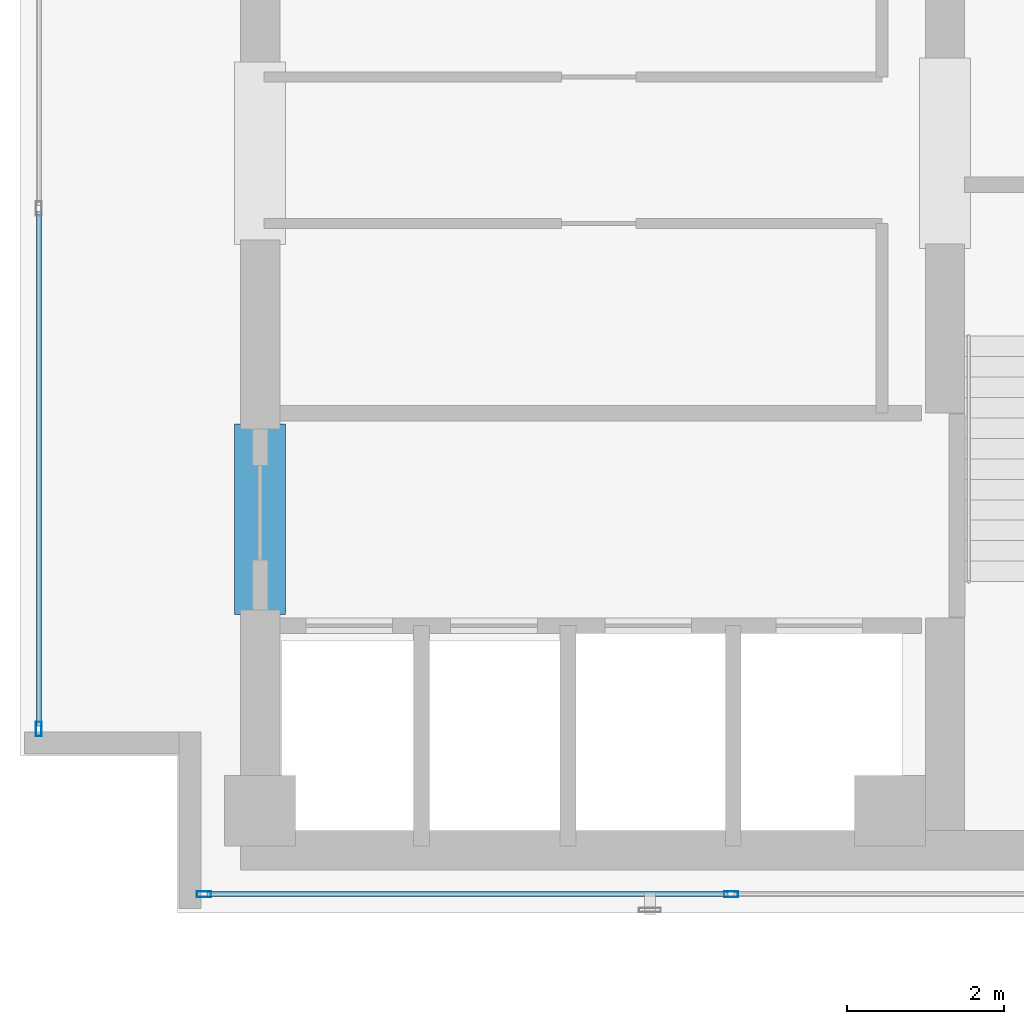
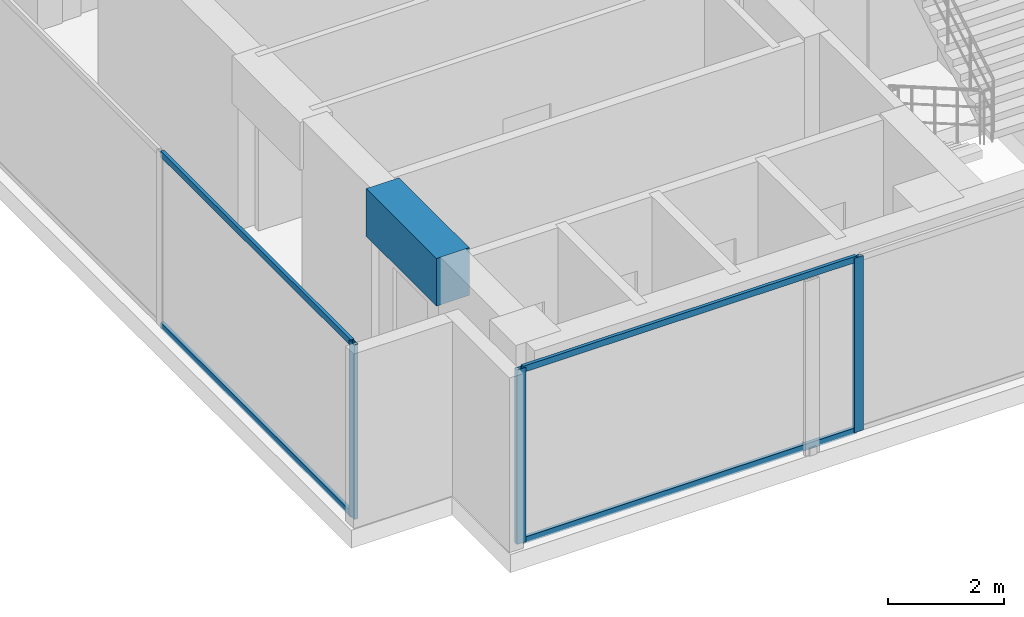
# One storey, part 2 of 31: 7 members, 1 beam, 2 elements without a shape of their own.
"""IFC4 building model written with IfcOpenShell, lengths in metres."""

import ifcopenshell
import ifcopenshell.guid

model = None  # the IFC model being written
_history = None  # IfcOwnerHistory: only IFC2X3 demands one
_inside = {}  # id of a spatial element -> (the spatial element, [elements in it])
_under = {}  # id of a project, library or spatial element -> (it, [spatial elements below it])
_declared = {}  # id of a project -> (the project, [libraries it declares])
_typed = {}  # id of a type object -> (the type object, [elements of that type])
_made_of = {}  # id of a material, layer set ... -> (it, [elements and type objects made of it])


def new_model(schema):
    """Start an empty IFC model of exactly this schema.

    Asked for "IFC4X3", IfcOpenShell would pick the latest addendum, in which some entities
    have other attributes; the version numbers below select the first issue.
    IFC2X3 requires an IfcOwnerHistory on every rooted entity: one is made here for all.
    """
    global model, _history
    if schema == "IFC4X3":
        model = ifcopenshell.file(schema_version=(4, 3, 0, 0))
    else:
        model = ifcopenshell.file(schema=schema)
    _inside.clear()
    _under.clear()
    _declared.clear()
    _typed.clear()
    _made_of.clear()
    _history = None
    if model.schema == "IFC2X3":
        org = make("IfcOrganization", Name="unknown")
        user = make(
            "IfcPersonAndOrganization",
            ThePerson=make("IfcPerson", FamilyName="unknown"),
            TheOrganization=org,
        )
        app = make(
            "IfcApplication",
            ApplicationDeveloper=org,
            Version="unknown",
            ApplicationFullName="unknown",
            ApplicationIdentifier="unknown",
        )
        _history = make(
            "IfcOwnerHistory",
            OwningUser=user,
            OwningApplication=app,
            ChangeAction="ADDED",
            CreationDate=0,
        )
    return model


def make(cls, **values):
    """One entity of the class cls with the attributes given. An attribute that is None is left unset."""
    return model.create_entity(
        cls, **{name: value for name, value in values.items() if value is not None}
    )


def rooted(cls, **values):
    """An entity with a GlobalId (a new one), such as an element, a storey or a relation."""
    return make(cls, GlobalId=ifcopenshell.guid.new(), OwnerHistory=_history, **values)


def si_unit(unit_type, name, prefix=None):
    """IfcSIUnit, for example si_unit("LENGTHUNIT", "METRE", prefix="MILLI")."""
    return make("IfcSIUnit", UnitType=unit_type, Prefix=prefix, Name=name)


def assignment(units):
    """IfcUnitAssignment: the units of a project."""
    return None if units is None else make("IfcUnitAssignment", Units=units)


def point(xyz):
    """IfcCartesianPoint."""
    return None if xyz is None else make("IfcCartesianPoint", Coordinates=xyz)


def direction(xyz):
    """IfcDirection."""
    return None if xyz is None else make("IfcDirection", DirectionRatios=xyz)


def frame(location, z_axis=None, x_axis=None):
    """IfcAxis2Placement3D, a coordinate frame: its origin and axes. An axis left out is left unset."""
    return make(
        "IfcAxis2Placement3D",
        Location=point(location),
        Axis=direction(z_axis),
        RefDirection=direction(x_axis),
    )


def frame_2d(location, x_axis=None):
    """IfcAxis2Placement2D, a coordinate frame in the plane: its origin and x axis."""
    return make(
        "IfcAxis2Placement2D", Location=point(location), RefDirection=direction(x_axis)
    )


def origin():
    """The frame at (0, 0, 0) with its axes left unset."""
    return frame((0.0, 0.0, 0.0))


def origin_with_axes():
    """The frame at (0, 0, 0) with the z axis (0, 0, 1) and the x axis (1, 0, 0) written out."""
    return frame((0.0, 0.0, 0.0), z_axis=(0.0, 0.0, 1.0), x_axis=(1.0, 0.0, 0.0))


def origin_2d():
    """The frame at (0, 0) in the plane with its x axis left unset."""
    return frame_2d((0.0, 0.0))


def place(relative_to, where):
    """IfcLocalPlacement: puts the frame where relative to a parent placement (None: the world)."""
    return make(
        "IfcLocalPlacement", PlacementRelTo=relative_to, RelativePlacement=where
    )


def context(
    kind, dimensions, precision=None, world=None, true_north=None, identifier=None
):
    """IfcGeometricRepresentationContext, for example the 3D "Model" context."""
    return make(
        "IfcGeometricRepresentationContext",
        ContextIdentifier=identifier,
        ContextType=kind,
        CoordinateSpaceDimension=dimensions,
        Precision=precision,
        WorldCoordinateSystem=world,
        TrueNorth=true_north,
    )


def subcontext(parent, identifier, kind, view, scale=None):
    """IfcGeometricRepresentationSubContext, for example "Body" below "Model"."""
    return make(
        "IfcGeometricRepresentationSubContext",
        ContextIdentifier=identifier,
        ContextType=kind,
        ParentContext=parent,
        TargetScale=scale,
        TargetView=view,
    )


def project(units=None, contexts=None):
    """IfcProject with its units and contexts."""
    return rooted(
        "IfcProject",
        Name="project",
        RepresentationContexts=contexts,
        UnitsInContext=assignment(units),
    )


def spatial(cls, under=None, at=None, **own):
    """A site, building, storey or space (cls), placed at a placement, below another one or the project."""
    s = rooted(cls, ObjectPlacement=at, **own)
    if under is not None:
        _under.setdefault(under.id(), (under, []))[1].append(s)
    return s


def profile(cls, at=None, kind="AREA", **sizes):
    """A parametric profile (cls). Its sizes go by their IFC names, for example OverallWidth=200.0."""
    return make(cls, ProfileType=kind, Position=at, **sizes)


def rectangle(**sizes):
    """IfcRectangleProfileDef."""
    return profile("IfcRectangleProfileDef", **sizes)


def hollow_rectangle(**sizes):
    """IfcRectangleHollowProfileDef."""
    return profile("IfcRectangleHollowProfileDef", **sizes)


def extrude(swept, where, along, depth):
    """IfcExtrudedAreaSolid: the profile swept, set in the frame where, extruded along a direction by depth."""
    return make(
        "IfcExtrudedAreaSolid",
        SweptArea=swept,
        Position=where,
        ExtrudedDirection=direction(along),
        Depth=depth,
    )


def shape(context_of_items, identifier, shape_type, items):
    """IfcShapeRepresentation: the items that make up one representation, for example the "Body"."""
    return make(
        "IfcShapeRepresentation",
        ContextOfItems=context_of_items,
        RepresentationIdentifier=identifier,
        RepresentationType=shape_type,
        Items=items,
    )


def source(mapping_origin, context_of_items, identifier, shape_type, items):
    """IfcRepresentationMap: a shape defined once, which mapped items show again and again."""
    return make(
        "IfcRepresentationMap",
        MappingOrigin=mapping_origin,
        MappedRepresentation=shape(context_of_items, identifier, shape_type, items),
    )


def transform(
    local_origin,
    x_axis=None,
    y_axis=None,
    z_axis=None,
    scale=None,
    scale2=None,
    scale3=None,
    uniform=True,
):
    """IfcCartesianTransformationOperator3D, or its non-uniform kind. x_axis, y_axis, z_axis: its Axis1, 2, 3."""
    if uniform:
        return make(
            "IfcCartesianTransformationOperator3D",
            Axis1=direction(x_axis),
            Axis2=direction(y_axis),
            LocalOrigin=point(local_origin),
            Scale=scale,
            Axis3=direction(z_axis),
        )
    return make(
        "IfcCartesianTransformationOperator3DnonUniform",
        Axis1=direction(x_axis),
        Axis2=direction(y_axis),
        LocalOrigin=point(local_origin),
        Scale=scale,
        Axis3=direction(z_axis),
        Scale2=scale2,
        Scale3=scale3,
    )


def mapped(mapping_source, mapping_target):
    """IfcMappedItem: shows the shape of a source again, moved by a transform."""
    return make(
        "IfcMappedItem", MappingSource=mapping_source, MappingTarget=mapping_target
    )


def material(Name=None, Category=None):
    """IfcMaterial."""
    return make("IfcMaterial", Name=Name, Category=Category)


def layer(
    of_material, thickness, ventilated=None, Name=None, Category=None, Priority=None
):
    """IfcMaterialLayer: one layer of a wall or slab, of a material (None: an air gap)."""
    return make(
        "IfcMaterialLayer",
        Material=of_material,
        LayerThickness=thickness,
        IsVentilated=ventilated,
        Name=Name,
        Category=Category,
        Priority=Priority,
    )


def layer_set(layers, Name=None):
    """IfcMaterialLayerSet."""
    return make("IfcMaterialLayerSet", MaterialLayers=layers, LayerSetName=Name)


def material_profile(
    of_material, cross_section, Name=None, Category=None, Priority=None
):
    """IfcMaterialProfile: a cross section and its material."""
    return make(
        "IfcMaterialProfile",
        Name=Name,
        Material=of_material,
        Profile=cross_section,
        Priority=Priority,
        Category=Category,
    )


def profile_set(profiles, Name=None, composite=None):
    """IfcMaterialProfileSet."""
    return make(
        "IfcMaterialProfileSet",
        Name=Name,
        MaterialProfiles=profiles,
        CompositeProfile=composite,
    )


def made_of(thing, what):
    """Note that an element or type object is made of a material, layer set ...; save() writes the relation."""
    if what is not None:
        _made_of.setdefault(what.id(), (what, []))[1].append(thing)
    return thing


def type_object(cls, material=None, **own):
    """A type object (cls), such as IfcWallType, which elements share."""
    return made_of(rooted(cls, **own), material)


def element(
    cls,
    number,
    at=None,
    inside=None,
    cuts=None,
    type_object=None,
    material=None,
    context=None,
    identifier="Body",
    shape_type=None,
    held_by="IfcProductDefinitionShape",
    body=None,
    shapes=None,
    **own,
):
    """One element of the class cls, such as IfcWall. Its Tag is "e" and its number.

    at: its placement. inside: the storey or other place that contains it. cuts: it is an
    opening in that element (IfcRelVoidsElement). A single representation is given by context,
    identifier, shape_type and body (its items); several are given by shapes. held_by: the class
    of the entity that holds the representations. save() writes the other relations.
    """
    e = rooted(cls, Tag="e%d" % number, ObjectPlacement=at, **own)
    if body is not None:
        shapes = [shape(context, identifier, shape_type, body)]
    if shapes is not None:
        e.Representation = make(held_by, Representations=shapes)
    if inside is not None:
        _inside.setdefault(inside.id(), (inside, []))[1].append(e)
    if cuts is not None:
        rooted(
            "IfcRelVoidsElement", RelatingBuildingElement=cuts, RelatedOpeningElement=e
        )
    if type_object is not None:
        _typed.setdefault(type_object.id(), (type_object, []))[1].append(e)
    return made_of(e, material)


def aggregate(whole, parts):
    """IfcRelAggregates: a whole, such as a stair, and the parts it consists of."""
    return rooted("IfcRelAggregates", RelatingObject=whole, RelatedObjects=parts)


def save(model, path):
    """Write the relations noted so far, then the file.

    IfcRelAggregates (storeys below a building ...), IfcRelContainedInSpatialStructure (elements
    in a storey), IfcRelDefinesByType, IfcRelAssociatesMaterial and IfcRelDeclares: one each for
    every whole, place, type object, material and project.
    """
    for whole, parts in _under.values():
        aggregate(whole, parts)
    for where, things in _inside.values():
        rooted(
            "IfcRelContainedInSpatialStructure",
            RelatedElements=things,
            RelatingStructure=where,
        )
    for kind, things in _typed.values():
        rooted("IfcRelDefinesByType", RelatedObjects=things, RelatingType=kind)
    for what, things in _made_of.values():
        rooted("IfcRelAssociatesMaterial", RelatedObjects=things, RelatingMaterial=what)
    for by, libraries in _declared.values():
        rooted("IfcRelDeclares", RelatingContext=by, RelatedDefinitions=libraries)
    model.write(path)


model = new_model("IFC4")

# Units and contexts
model_context = context("Model", 3, precision=1e-05, world=origin(), true_north=direction((0.0, 1.0)))
body_context = subcontext(model_context, "Body", "Model", "MODEL_VIEW")
ifc_project = project(units=[si_unit("LENGTHUNIT", "METRE"), si_unit("AREAUNIT", "SQUARE_METRE"), si_unit("VOLUMEUNIT", "CUBIC_METRE"), si_unit("PLANEANGLEUNIT", "RADIAN"), si_unit("MASSUNIT", "GRAM", prefix="KILO")], contexts=[model_context])

# Site, building, storey
site_placement = place(None, origin())
site = spatial("IfcSite", under=ifc_project, at=site_placement, CompositionType="ELEMENT")
building_placement = place(site_placement, origin())
building = spatial("IfcBuilding", under=site, at=building_placement, Name="Kolvaren Waterfront Exchange", CompositionType="ELEMENT")
storey_placement = place(building_placement, frame((0.0, 0.0, 344.199951171875)))
storey = spatial("IfcBuildingStorey", under=building, at=storey_placement, Name="L88", CompositionType="ELEMENT", Elevation=344.199951171875)

# Beam
ifc_material_1 = material(Name="Concrete C60/75", Category="concrete")
ifc_material_profile_1 = material_profile(ifc_material_1, rectangle(XDim=0.64990234375, YDim=1.0, at=origin_2d()), Name="RC-CB-1000x650")
ifc_profile_set_1 = profile_set([ifc_material_profile_1], Name="Concrete C60/75")
beam_type = type_object("IfcBeamType", Name="STR-CB-1000", PredefinedType="SPANDREL", material=ifc_profile_set_1)
beam_placement = place(storey_placement, frame((7.449951171875, 7.389892578125, 3.16015625), z_axis=(0.0, 1.0, 0.0), x_axis=(-1.0, 0.0, 0.0)))
element("IfcBeam", 1, at=beam_placement, inside=storey, type_object=beam_type, Name="L88 core coupling beam 3", PredefinedType="SPANDREL", context=body_context, shape_type="SweptSolid", body=[
    extrude(rectangle(XDim=0.64990234375, YDim=1.0, at=origin_2d()), origin(), (0.0, 0.0, 1.0), 2.420166015625),
])

# Curtain wall, members
ifc_material_2 = material(Name="Anodised bronze aluminium 6063-T6", Category="aluminium")
ifc_layer = layer(ifc_material_2, 0.219970703125, Name="Anodised bronze aluminium 6063-T6")
ifc_layer_set = layer_set([ifc_layer], Name="Anodised bronze aluminium 6063-T6")
curtain_wall_type = type_object("IfcCurtainWallType", Name="ARC-CW-SYS5", PredefinedType="USERDEFINED", material=ifc_layer_set)
curtain_wall_1_placement = place(storey_placement, origin())
curtain_wall_1 = element("IfcCurtainWall", 2, at=curtain_wall_1_placement, inside=storey, type_object=curtain_wall_type, Name="L88 stick curtain wall CW5 (CW-L88-S)", ObjectType="STICK CURTAIN WALL", PredefinedType="USERDEFINED")
ifc_material_profile_2 = material_profile(ifc_material_2, hollow_rectangle(XDim=0.074951171875, YDim=0.179931640625, WallThickness=0.00439453125, at=origin_2d()), Name="ALU-MUL-180x75x4.5")
ifc_profile_set_2 = profile_set([ifc_material_profile_2], Name="Anodised bronze aluminium 6063-T6")
member_type_1 = type_object("IfcMemberType", Name="ARC-CWM-180", PredefinedType="MULLION", material=ifc_profile_set_2)
shared_shape_1 = source(origin_with_axes(), body_context, "Body", "SweptSolid", [
    extrude(hollow_rectangle(XDim=0.074951171875, YDim=0.179931640625, WallThickness=0.00439453125, at=origin_2d()), origin(), (0.0, 0.0, 1.0), 3.66015625),
])
member_1_placement = place(storey_placement, frame((6.737548828125, 3.840087890625, 0.0), z_axis=(0.0, 0.0, 1.0), x_axis=(0.0, 1.0, 0.0)))
member_1 = element("IfcMember", 3, at=member_1_placement, type_object=member_type_1, Name="CW5 mullion 1", PredefinedType="MULLION", context=body_context, shape_type="MappedRepresentation", body=[
    mapped(shared_shape_1, transform((0.0, 0.0, 0.0), x_axis=(1.0, 0.0, 0.0), y_axis=(0.0, 1.0, 0.0), z_axis=(0.0, 0.0, 1.0), scale=1.0)),
])
member_2_placement = place(storey_placement, frame((13.433349609375, 3.840087890625, 0.0), z_axis=(0.0, 0.0, 1.0), x_axis=(0.0, 1.0, 0.0)))
member_2 = element("IfcMember", 4, at=member_2_placement, type_object=member_type_1, Name="CW5 mullion 2", PredefinedType="MULLION", context=body_context, shape_type="MappedRepresentation", body=[
    mapped(shared_shape_1, transform((0.0, 0.0, 0.0), x_axis=(1.0, 0.0, 0.0), y_axis=(0.0, 1.0, 0.0), z_axis=(0.0, 0.0, 1.0), scale=1.0)),
])

# Curtain wall, member
curtain_wall_2_placement = place(storey_placement, origin())
curtain_wall_2 = element("IfcCurtainWall", 5, at=curtain_wall_2_placement, inside=storey, type_object=curtain_wall_type, Name="L88 stick curtain wall CW5 (CW-L88-W)", ObjectType="STICK CURTAIN WALL", PredefinedType="USERDEFINED")
member_3_placement = place(storey_placement, frame((4.639892578125, 5.9375, 0.0), z_axis=(0.0, 0.0, 1.0), x_axis=(-1.0, 0.0, 0.0)))
member_3 = element("IfcMember", 6, at=member_3_placement, type_object=member_type_1, Name="CW5 mullion 1", PredefinedType="MULLION", context=body_context, shape_type="MappedRepresentation", body=[
    mapped(shared_shape_1, transform((0.0, 0.0, 0.0), x_axis=(1.0, 0.0, 0.0), y_axis=(0.0, 1.0, 0.0), z_axis=(0.0, 0.0, 1.0), scale=1.0)),
])

# Member
ifc_material_profile_3 = material_profile(ifc_material_2, hollow_rectangle(XDim=0.06494140625, YDim=0.1298828125, WallThickness=0.00390625, at=origin_2d()), Name="ALU-TRN-130x65x4")
ifc_profile_set_3 = profile_set([ifc_material_profile_3], Name="Anodised bronze aluminium 6063-T6")
member_type_2 = type_object("IfcMemberType", Name="ARC-CWT-130", PredefinedType="USERDEFINED", material=ifc_profile_set_3)
shared_shape_2 = source(origin_with_axes(), body_context, "Body", "SweptSolid", [
    extrude(hollow_rectangle(XDim=0.06494140625, YDim=0.1298828125, WallThickness=0.00390625, at=origin_2d()), origin(), (0.0, 0.0, 1.0), 6.620849609375),
])
member_4_placement = place(storey_placement, frame((6.77490234375, 3.840087890625, 0.032470703125), z_axis=(1.0, 0.0, 0.0), x_axis=(0.0, 1.0, 0.0)))
member_4 = element("IfcMember", 7, at=member_4_placement, type_object=member_type_2, Name="CW5 transom 1.1", ObjectType="TRANSOM", PredefinedType="USERDEFINED", context=body_context, shape_type="MappedRepresentation", body=[
    mapped(shared_shape_2, transform((0.0, 0.0, 0.0), x_axis=(1.0, 0.0, 0.0), y_axis=(0.0, 1.0, 0.0), z_axis=(0.0, 0.0, 1.0), scale=1.0)),
])

member_5_placement = place(storey_placement, frame((6.77490234375, 3.840087890625, 3.62744140625), z_axis=(1.0, 0.0, 0.0), x_axis=(0.0, 1.0, 0.0)))
member_5 = element("IfcMember", 8, at=member_5_placement, type_object=member_type_2, Name="CW5 transom 1.2", ObjectType="TRANSOM", PredefinedType="USERDEFINED", context=body_context, shape_type="MappedRepresentation", body=[
    mapped(shared_shape_2, transform((0.0, 0.0, 0.0), x_axis=(1.0, 0.0, 0.0), y_axis=(0.0, 1.0, 0.0), z_axis=(0.0, 0.0, 1.0), scale=1.0)),
])

aggregate(curtain_wall_1, [member_1, member_2, member_4, member_5])

shared_shape_3 = source(origin_with_axes(), body_context, "Body", "SweptSolid", [
    extrude(hollow_rectangle(XDim=0.06494140625, YDim=0.1298828125, WallThickness=0.00390625, at=origin_2d()), origin(), (0.0, 0.0, 1.0), 6.537353515625),
])
member_6_placement = place(storey_placement, frame((4.639892578125, 5.97509765625, 0.032470703125), z_axis=(0.0, 1.0, 0.0), x_axis=(-1.0, 0.0, 0.0)))
member_6 = element("IfcMember", 9, at=member_6_placement, type_object=member_type_2, Name="CW5 transom 1.1", ObjectType="TRANSOM", PredefinedType="USERDEFINED", context=body_context, shape_type="MappedRepresentation", body=[
    mapped(shared_shape_3, transform((0.0, 0.0, 0.0), x_axis=(1.0, 0.0, 0.0), y_axis=(0.0, 1.0, 0.0), z_axis=(0.0, 0.0, 1.0), scale=1.0)),
])

member_7_placement = place(storey_placement, frame((4.639892578125, 5.97509765625, 3.62744140625), z_axis=(0.0, 1.0, 0.0), x_axis=(-1.0, 0.0, 0.0)))
member_7 = element("IfcMember", 10, at=member_7_placement, type_object=member_type_2, Name="CW5 transom 1.2", ObjectType="TRANSOM", PredefinedType="USERDEFINED", context=body_context, shape_type="MappedRepresentation", body=[
    mapped(shared_shape_3, transform((0.0, 0.0, 0.0), x_axis=(1.0, 0.0, 0.0), y_axis=(0.0, 1.0, 0.0), z_axis=(0.0, 0.0, 1.0), scale=1.0)),
])

aggregate(curtain_wall_2, [member_3, member_6, member_7])

save(model, "model.ifc")
